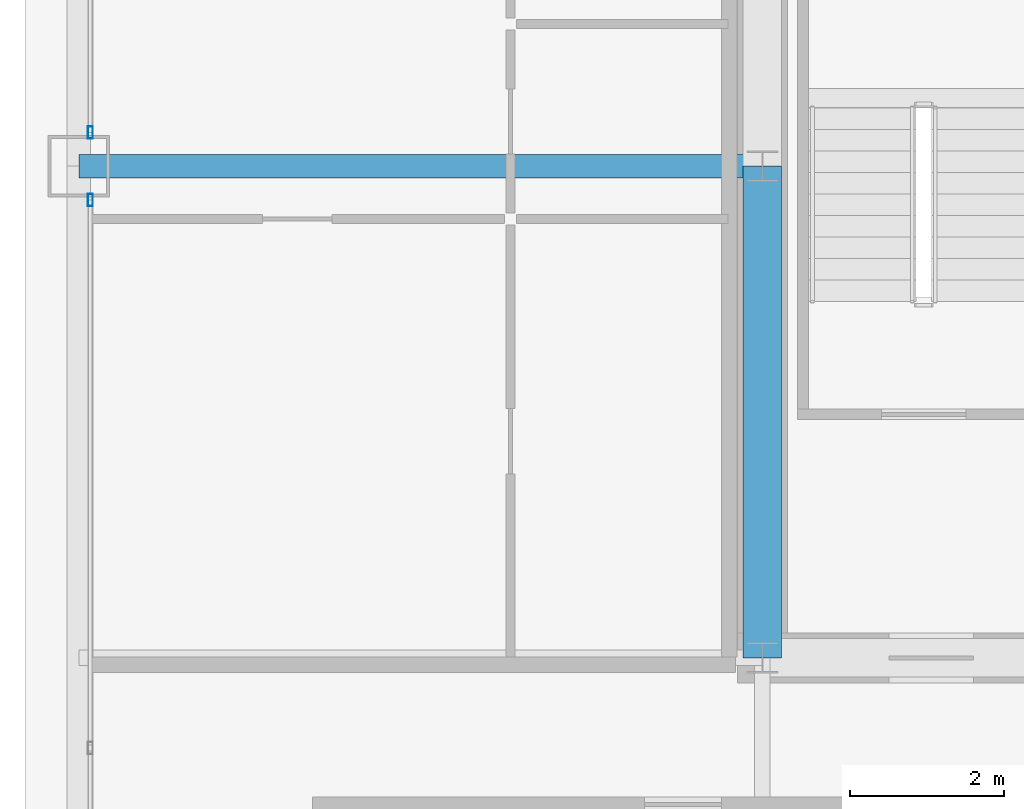
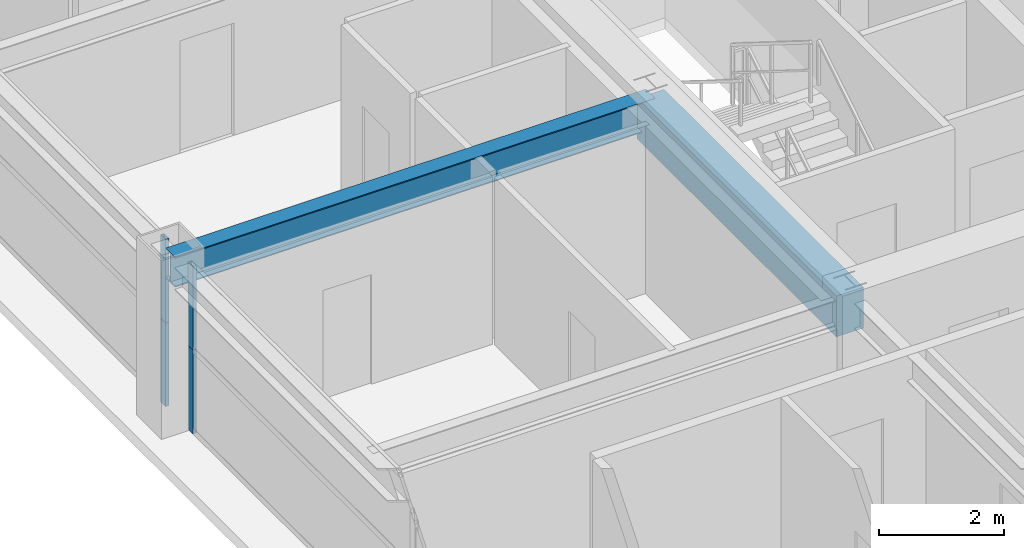
# One storey, part 12 of 38: 4 members, 2 beams, 2 elements without a shape of their own.
"""IFC4 building model written with IfcOpenShell, lengths in metres."""

from ifc_helpers import new_model, si_unit, direction, frame, origin, origin_2d, place, context, subcontext, project, spatial, rectangle, hollow_rectangle, i_section, extrude, source, transform, mapped, material, layer, layer_set, material_profile, profile_set, type_object, element, aggregate, save


model = new_model("IFC4")

# Units and contexts
model_context = context("Model", 3, precision=1e-05, world=origin(), true_north=direction((0.0, 1.0)))
body_context = subcontext(model_context, "Body", "Model", "MODEL_VIEW")
ifc_project = project(units=[si_unit("LENGTHUNIT", "METRE"), si_unit("AREAUNIT", "SQUARE_METRE"), si_unit("VOLUMEUNIT", "CUBIC_METRE"), si_unit("PLANEANGLEUNIT", "RADIAN"), si_unit("MASSUNIT", "GRAM", prefix="KILO"), si_unit("THERMODYNAMICTEMPERATUREUNIT", "KELVIN"), si_unit("POWERUNIT", "WATT")], contexts=[model_context])

# Site, building, storey
site_placement = place(None, origin())
site = spatial("IfcSite", under=ifc_project, at=site_placement, CompositionType="ELEMENT")
building_placement = place(site_placement, origin())
building = spatial("IfcBuilding", under=site, at=building_placement, Name="Yuzanri Waterfront Tower", CompositionType="ELEMENT")
storey_placement = place(building_placement, frame((0.0, 0.0, 181.0)))
storey = spatial("IfcBuildingStorey", under=building, at=storey_placement, Name="L47", CompositionType="ELEMENT", Elevation=181.0)

# Beams
ifc_material_1 = material(Name="Steel Q355B", Category="steel")
ifc_material_profile_1 = material_profile(ifc_material_1, i_section(OverallWidth=0.300048828125, OverallDepth=0.587890625, WebThickness=0.011962890625, FlangeThickness=0.02001953125, at=origin_2d()), Name="HM 588x300x12x20")
ifc_profile_set_1 = profile_set([ifc_material_profile_1], Name="Steel Q355B")
beam_type_1 = type_object("IfcBeamType", Name="Primary Floor Girder Q355B HM 588x300", PredefinedType="BEAM", material=ifc_profile_set_1)
shared_shape_1 = source(origin(), body_context, "Body", "SweptSolid", [
    extrude(i_section(OverallWidth=0.300048828125, OverallDepth=0.587890625, WebThickness=0.011962890625, FlangeThickness=0.02001953125, at=origin_2d()), origin(), (0.0, 0.0, 1.0), 8.900146484375),
])
beam_1_placement = place(storey_placement, frame((23.800048828125, 25.800048828125, 2.986083984375), z_axis=(-1.0, 0.0, 0.0), x_axis=(0.0, -1.0, 0.0)))
element("IfcBeam", 1, at=beam_1_placement, inside=storey, type_object=beam_type_1, Name="L47 West Grid Girder", PredefinedType="BEAM", context=body_context, shape_type="MappedRepresentation", body=[
    mapped(shared_shape_1, transform((0.0, 0.0, 0.0), scale=1.0)),
])
ifc_material_2 = material(Name="Concrete C50", Category="concrete")
ifc_material_profile_2 = material_profile(ifc_material_2, rectangle(XDim=0.5, YDim=0.800048828125, at=origin_2d()), Name="RC 500x800")
ifc_profile_set_2 = profile_set([ifc_material_profile_2], Name="Concrete C50")
beam_type_2 = type_object("IfcBeamType", Name="Core Coupling Lintel Concrete C50 500x800", PredefinedType="LINTEL", material=ifc_profile_set_2)
shared_shape_2 = source(origin(), body_context, "Body", "SweptSolid", [
    extrude(rectangle(XDim=0.5, YDim=0.800048828125, at=origin_2d()), origin(), (0.0, 0.0, 1.0), 6.400146484375),
])
beam_2_placement = place(storey_placement, frame((23.800048828125, 19.39990234375, 2.8798828125), z_axis=(0.0, 1.0, 0.0), x_axis=(-1.0, 0.0, 0.0)))
element("IfcBeam", 2, at=beam_2_placement, inside=storey, type_object=beam_type_2, Name="L47 Core Tie Beam CW1", PredefinedType="LINTEL", context=body_context, shape_type="MappedRepresentation", body=[
    mapped(shared_shape_2, transform((0.0, 0.0, 0.0), scale=1.0)),
])

# Curtain wall, members
ifc_material_3 = material(Name="Anodized Architectural Bronze", Category="metal")
ifc_layer = layer(ifc_material_3, 0.159912109375)
ifc_layer_set = layer_set([ifc_layer], Name="Anodized Architectural Bronze")
curtain_wall_type = type_object("IfcCurtainWallType", Name="Anodized Bronze Mid-Rise Residential Acoustic Unitized Curtain Wall 7200", PredefinedType="NOTDEFINED", material=ifc_layer_set)
curtain_wall_1_placement = place(storey_placement, origin())
curtain_wall_1 = element("IfcCurtainWall", 3, at=curtain_wall_1_placement, inside=storey, type_object=curtain_wall_type, Name="L47 Curtain Wall CW-L47-WL", PredefinedType="NOTDEFINED")
ifc_material_4 = material(Name="Anodized Architectural Bronze", Category="metal")
ifc_material_profile_3 = material_profile(ifc_material_4, hollow_rectangle(XDim=0.06494140625, YDim=0.159912109375, WallThickness=0.00341796875, at=origin_2d()), Name="CWM 65x160")
ifc_profile_set_3 = profile_set([ifc_material_profile_3], Name="Anodized Architectural Bronze")
member_type = type_object("IfcMemberType", Name="Anodized Bronze Upper-Zone Curtain-Wall Mullion 65x160", PredefinedType="MULLION", material=ifc_profile_set_3)
shared_shape_3 = source(origin(), body_context, "Body", "SweptSolid", [
    extrude(hollow_rectangle(XDim=0.06494140625, YDim=0.159912109375, WallThickness=0.00341796875, at=origin_2d()), origin(), (0.0, 0.0, 1.0), 1.637939453125),
])
member_1_placement = place(storey_placement, frame((15.050048828125, 25.360107421875, 0.0), z_axis=(0.0, 0.0, 1.0), x_axis=(1.0, 0.0, 0.0)))
member_1 = element("IfcMember", 4, at=member_1_placement, type_object=member_type, Name="CW-L47-WL Lower Mullion 02", PredefinedType="MULLION", context=body_context, shape_type="MappedRepresentation", body=[
    mapped(shared_shape_3, transform((0.0, 0.0, 0.0), scale=1.0)),
])
member_2_placement = place(storey_placement, frame((15.050048828125, 25.360107421875, 1.64208984375), z_axis=(0.0, 0.0, 1.0), x_axis=(1.0, 0.0, 0.0)))
member_2 = element("IfcMember", 5, at=member_2_placement, type_object=member_type, Name="CW-L47-WL Upper Mullion 02", PredefinedType="MULLION", context=body_context, shape_type="MappedRepresentation", body=[
    mapped(shared_shape_3, transform((0.0, 0.0, 0.0), scale=1.0)),
])
aggregate(curtain_wall_1, [member_1, member_2])

curtain_wall_2_placement = place(storey_placement, origin())
curtain_wall_2 = element("IfcCurtainWall", 6, at=curtain_wall_2_placement, inside=storey, type_object=curtain_wall_type, Name="L47 Curtain Wall CW-L47-WR", PredefinedType="NOTDEFINED")
member_3_placement = place(storey_placement, frame((15.050048828125, 26.239990234375, 0.0), z_axis=(0.0, 0.0, 1.0), x_axis=(1.0, 0.0, 0.0)))
member_3 = element("IfcMember", 7, at=member_3_placement, type_object=member_type, Name="CW-L47-WR Lower Mullion 00", PredefinedType="MULLION", context=body_context, shape_type="MappedRepresentation", body=[
    mapped(shared_shape_3, transform((0.0, 0.0, 0.0), scale=1.0)),
])
member_4_placement = place(storey_placement, frame((15.050048828125, 26.239990234375, 1.64208984375), z_axis=(0.0, 0.0, 1.0), x_axis=(1.0, 0.0, 0.0)))
member_4 = element("IfcMember", 8, at=member_4_placement, type_object=member_type, Name="CW-L47-WR Upper Mullion 00", PredefinedType="MULLION", context=body_context, shape_type="MappedRepresentation", body=[
    mapped(shared_shape_3, transform((0.0, 0.0, 0.0), scale=1.0)),
])
aggregate(curtain_wall_2, [member_3, member_4])

save(model, "model.ifc")
